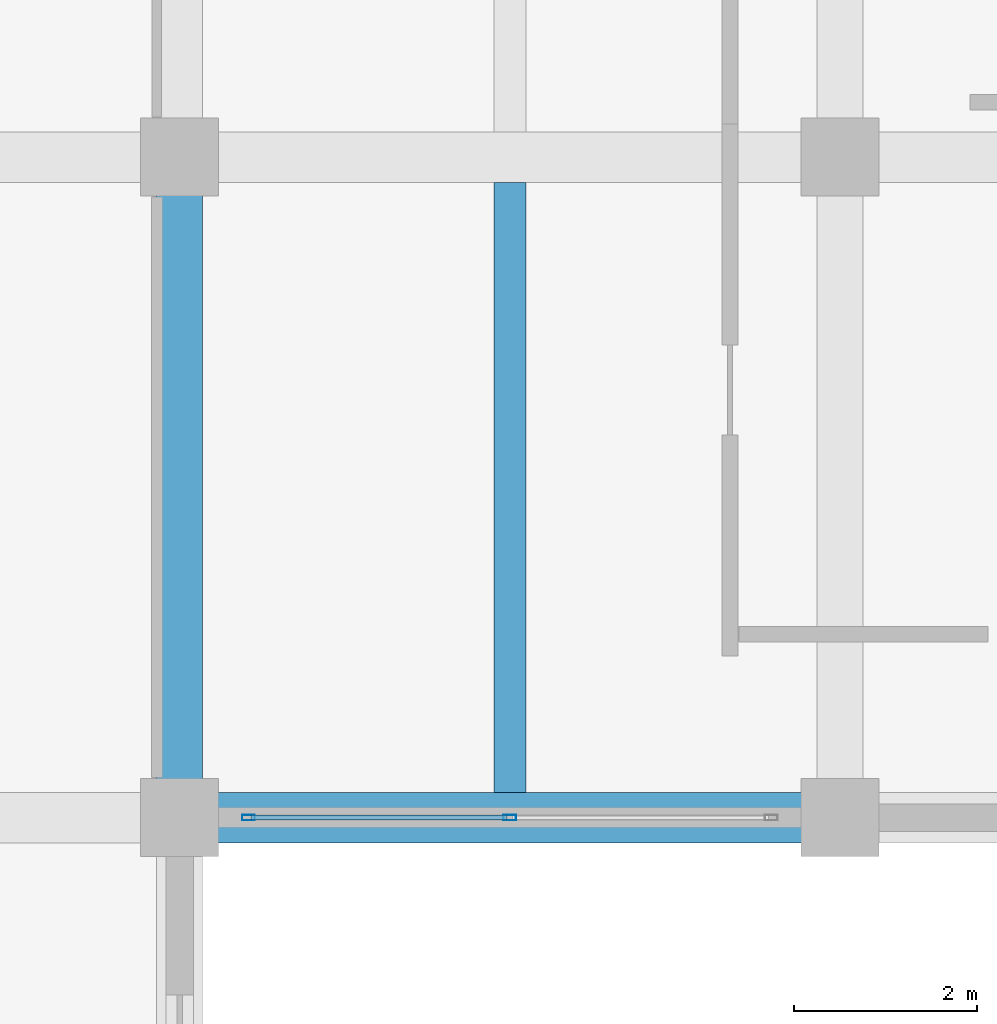
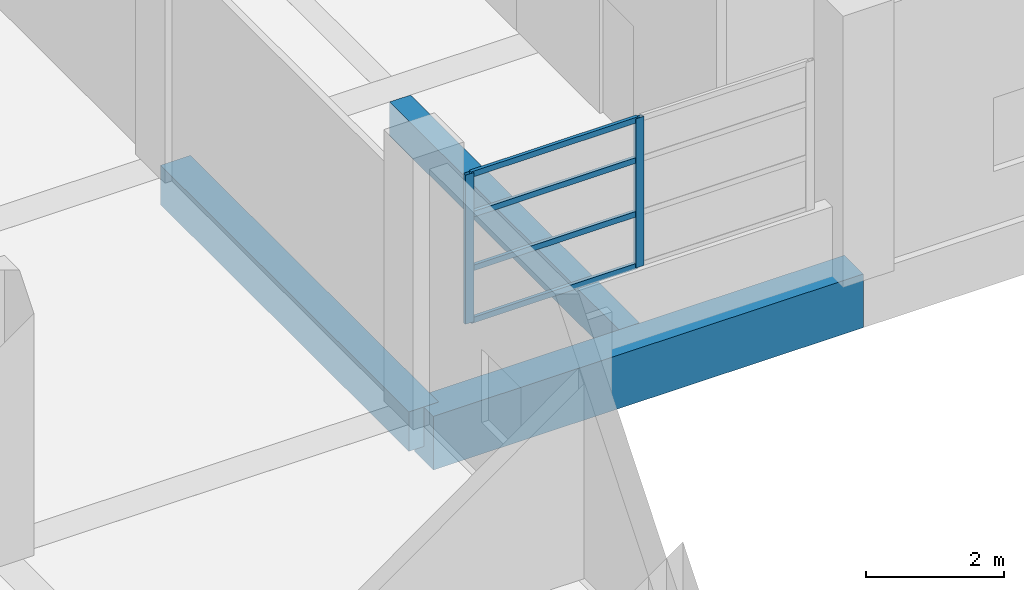
# One storey, part 71 of 181: 6 members, 3 beams, 1 element without a shape of its own.
"""IFC4 building model written with IfcOpenShell, lengths in metres."""

from ifc_helpers import new_model, si_unit, direction, frame, origin, origin_2d, place, context, subcontext, project, spatial, rectangle, hollow_rectangle, extrude, material, layer, layer_set, material_profile, profile_set, type_object, element, aggregate, save


model = new_model("IFC4")

# Units and contexts
model_context = context("Model", 3, precision=1e-05, world=origin(), true_north=direction((0.0, 1.0)))
body_context = subcontext(model_context, "Body", "Model", "MODEL_VIEW")
ifc_project = project(units=[si_unit("LENGTHUNIT", "METRE"), si_unit("AREAUNIT", "SQUARE_METRE"), si_unit("VOLUMEUNIT", "CUBIC_METRE"), si_unit("PLANEANGLEUNIT", "RADIAN"), si_unit("MASSUNIT", "GRAM", prefix="KILO")], contexts=[model_context])

# Site, building, storey
site_placement = place(None, origin())
site = spatial("IfcSite", under=ifc_project, at=site_placement, CompositionType="ELEMENT")
building_placement = place(site_placement, origin())
building = spatial("IfcBuilding", under=site, at=building_placement, Name="Seraya Terrace Polytechnic", CompositionType="ELEMENT")
storey_placement = place(building_placement, frame((0.0, 0.0, 4.800048828125)))
storey = spatial("IfcBuildingStorey", under=building, at=storey_placement, Name="L01", CompositionType="ELEMENT", Elevation=4.800048828125)

# Beams
ifc_material_1 = material(Name="Concrete C40/50", Category="concrete")
ifc_material_profile_1 = material_profile(ifc_material_1, rectangle(XDim=0.550048828125, YDim=0.949951171875, at=origin_2d()), Name="RC 550x950")
ifc_profile_set_1 = profile_set([ifc_material_profile_1], Name="Concrete C40/50")
beam_type_1 = type_object("IfcBeamType", Name="BM-03", PredefinedType="BEAM", material=ifc_profile_set_1)
beam_1_placement = place(storey_placement, frame((43.199951171875, 64.800048828125, -0.47509765625), z_axis=(1.0, 0.0, 0.0), x_axis=(0.0, 1.0, 0.0)))
element("IfcBeam", 1, at=beam_1_placement, inside=storey, type_object=beam_type_1, Name="Beam BM-03 L01 X (43.2..50.4, 64.8)", PredefinedType="BEAM", context=body_context, shape_type="SweptSolid", body=[
    extrude(rectangle(XDim=0.550048828125, YDim=0.949951171875, at=origin_2d()), origin(), (0.0, 0.0, 1.0), 7.199951171875),
])
ifc_material_profile_2 = material_profile(ifc_material_1, rectangle(XDim=0.5, YDim=0.699951171875, at=origin_2d()), Name="RC 500x700")
ifc_profile_set_2 = profile_set([ifc_material_profile_2], Name="Concrete C40/50")
beam_type_2 = type_object("IfcBeamType", Name="BM-07", PredefinedType="BEAM", material=ifc_profile_set_2)
beam_2_placement = place(storey_placement, frame((43.199951171875, 64.800048828125, -0.35009765625), z_axis=(0.0, 1.0, 0.0), x_axis=(-1.0, 0.0, 0.0)))
element("IfcBeam", 2, at=beam_2_placement, inside=storey, type_object=beam_type_2, Name="Beam BM-07 L01 Y (43.2, 64.8..72.0)", PredefinedType="BEAM", context=body_context, shape_type="SweptSolid", body=[
    extrude(rectangle(XDim=0.5, YDim=0.699951171875, at=origin_2d()), origin(), (0.0, 0.0, 1.0), 7.199951171875),
])

# Curtain wall, members
ifc_material_2 = material(Name="Anodised aluminium EN AW-6063 T6", Category="aluminium")
ifc_layer = layer(ifc_material_2, 0.179931640625, Name="CW-09")
ifc_layer_set = layer_set([ifc_layer], Name="Anodised aluminium EN AW-6063 T6")
curtain_wall_type = type_object("IfcCurtainWallType", Name="CW-09", PredefinedType="NOTDEFINED", material=ifc_layer_set)
curtain_wall_placement = place(storey_placement, origin())
curtain_wall = element("IfcCurtainWall", 3, at=curtain_wall_placement, inside=storey, type_object=curtain_wall_type, Name="Unitised curtain wall CW-09 (CW-L01-045)", PredefinedType="NOTDEFINED")
ifc_material_profile_3 = material_profile(ifc_material_2, hollow_rectangle(XDim=0.06005859375, YDim=0.139892578125, WallThickness=0.00341796875, at=origin_2d()), Name="RHS 140x60x3.5")
ifc_profile_set_3 = profile_set([ifc_material_profile_3], Name="Anodised aluminium EN AW-6063 T6")
member_type_1 = type_object("IfcMemberType", Name="CWM-03", PredefinedType="MULLION", material=ifc_profile_set_3)
member_1_placement = place(storey_placement, frame((46.800048828125, 64.800048828125, 1.239990234375), z_axis=(0.0, 0.0, 1.0), x_axis=(0.0, -1.0, 0.0)))
member_1 = element("IfcMember", 4, at=member_1_placement, type_object=member_type_1, Name="CW-09 mullion 2", PredefinedType="MULLION", context=body_context, shape_type="SweptSolid", body=[
    extrude(hollow_rectangle(XDim=0.06005859375, YDim=0.139892578125, WallThickness=0.00341796875, at=origin_2d()), origin(), (0.0, 0.0, 1.0), 2.639892578125),
])
member_2_placement = place(storey_placement, frame((43.949951171875, 64.800048828125, 1.239990234375), z_axis=(0.0, 0.0, 1.0), x_axis=(0.0, -1.0, 0.0)))
member_2 = element("IfcMember", 5, at=member_2_placement, type_object=member_type_1, Name="CW-09 mullion 3", PredefinedType="MULLION", context=body_context, shape_type="SweptSolid", body=[
    extrude(hollow_rectangle(XDim=0.06005859375, YDim=0.139892578125, WallThickness=0.00341796875, at=origin_2d()), origin(), (0.0, 0.0, 1.0), 2.639892578125),
])
ifc_material_profile_4 = material_profile(ifc_material_2, hollow_rectangle(XDim=0.054931640625, YDim=0.10009765625, WallThickness=0.0029296875, at=origin_2d()), Name="RHS 100x55x3.0")
ifc_profile_set_4 = profile_set([ifc_material_profile_4], Name="Anodised aluminium EN AW-6063 T6")
member_type_2 = type_object("IfcMemberType", Name="CWT-03", PredefinedType="USERDEFINED", material=ifc_profile_set_4)
member_3_placement = place(storey_placement, frame((46.77001953125, 64.800048828125, 1.267333984375), z_axis=(-1.0, 0.0, 0.0), x_axis=(0.0, -1.0, 0.0)))
member_3 = element("IfcMember", 6, at=member_3_placement, type_object=member_type_2, Name="CW-09 transom 2.1", ObjectType="TRANSOM", PredefinedType="USERDEFINED", context=body_context, shape_type="SweptSolid", body=[
    extrude(hollow_rectangle(XDim=0.054931640625, YDim=0.10009765625, WallThickness=0.0029296875, at=origin_2d()), origin(), (0.0, 0.0, 1.0), 2.7900390625),
])
member_4_placement = place(storey_placement, frame((46.77001953125, 64.800048828125, 2.1904296875), z_axis=(-1.0, 0.0, 0.0), x_axis=(0.0, -1.0, 0.0)))
member_4 = element("IfcMember", 7, at=member_4_placement, type_object=member_type_2, Name="CW-09 transom 2.2", ObjectType="TRANSOM", PredefinedType="USERDEFINED", context=body_context, shape_type="SweptSolid", body=[
    extrude(hollow_rectangle(XDim=0.054931640625, YDim=0.10009765625, WallThickness=0.0029296875, at=origin_2d()), origin(), (0.0, 0.0, 1.0), 2.7900390625),
])
member_5_placement = place(storey_placement, frame((46.77001953125, 64.800048828125, 3.140869140625), z_axis=(-1.0, 0.0, 0.0), x_axis=(0.0, -1.0, 0.0)))
member_5 = element("IfcMember", 8, at=member_5_placement, type_object=member_type_2, Name="CW-09 transom 2.3", ObjectType="TRANSOM", PredefinedType="USERDEFINED", context=body_context, shape_type="SweptSolid", body=[
    extrude(hollow_rectangle(XDim=0.054931640625, YDim=0.10009765625, WallThickness=0.0029296875, at=origin_2d()), origin(), (0.0, 0.0, 1.0), 2.7900390625),
])
member_6_placement = place(storey_placement, frame((46.77001953125, 64.800048828125, 3.8525390625), z_axis=(-1.0, 0.0, 0.0), x_axis=(0.0, -1.0, 0.0)))
member_6 = element("IfcMember", 9, at=member_6_placement, type_object=member_type_2, Name="CW-09 transom 2.4", ObjectType="TRANSOM", PredefinedType="USERDEFINED", context=body_context, shape_type="SweptSolid", body=[
    extrude(hollow_rectangle(XDim=0.054931640625, YDim=0.10009765625, WallThickness=0.0029296875, at=origin_2d()), origin(), (0.0, 0.0, 1.0), 2.7900390625),
])
aggregate(curtain_wall, [member_1, member_2, member_3, member_4, member_5, member_6])

# Beam
ifc_material_profile_5 = material_profile(ifc_material_1, rectangle(XDim=0.35009765625, YDim=0.60009765625, at=origin_2d()), Name="RC 350x600")
ifc_profile_set_5 = profile_set([ifc_material_profile_5], Name="Concrete C40/50")
beam_type_3 = type_object("IfcBeamType", Name="JS-02", PredefinedType="JOIST", material=ifc_profile_set_5)
beam_3_placement = place(storey_placement, frame((46.800048828125, 65.074951171875, -0.300048828125), z_axis=(0.0, 1.0, 0.0), x_axis=(-1.0, 0.0, 0.0)))
element("IfcBeam", 10, at=beam_3_placement, inside=storey, type_object=beam_type_3, Name="Secondary joist JS-02 L01", PredefinedType="JOIST", context=body_context, shape_type="SweptSolid", body=[
    extrude(rectangle(XDim=0.35009765625, YDim=0.60009765625, at=origin_2d()), origin(), (0.0, 0.0, 1.0), 6.650146484375),
])

save(model, "model.ifc")
